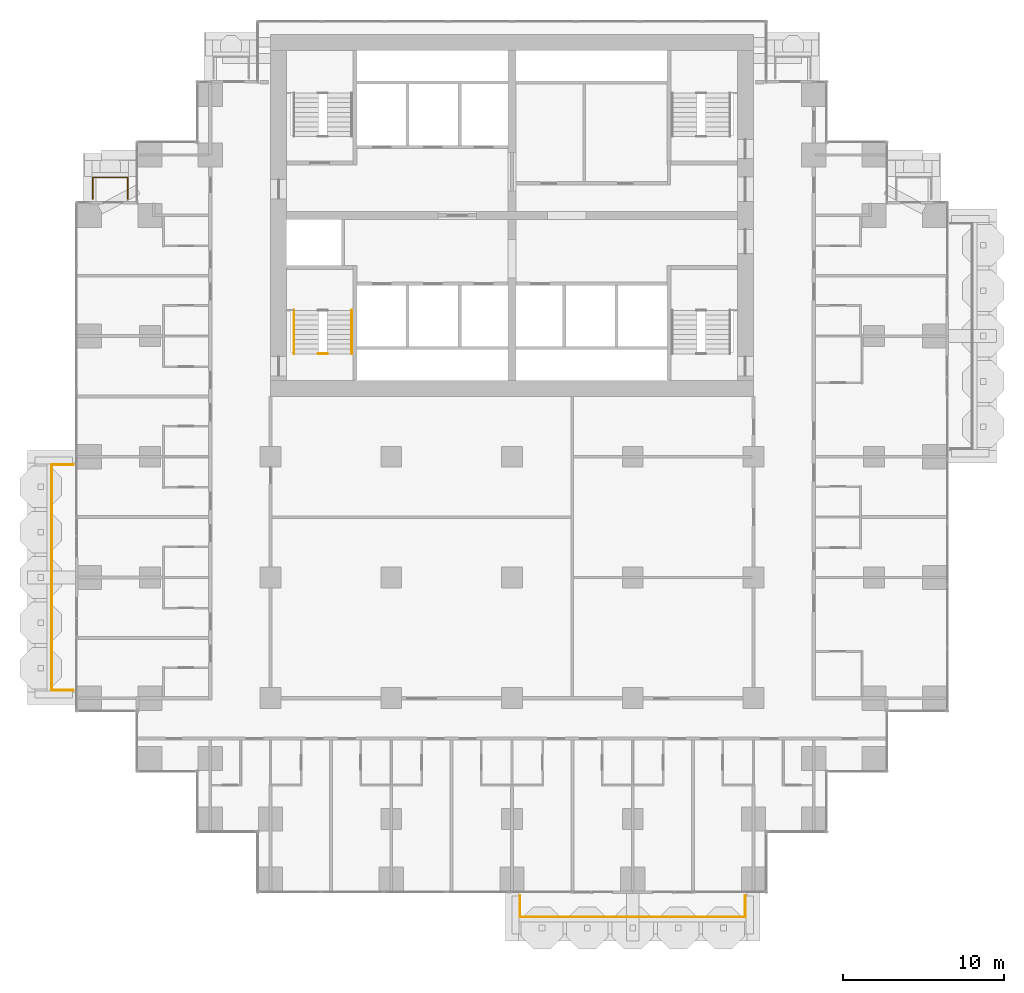
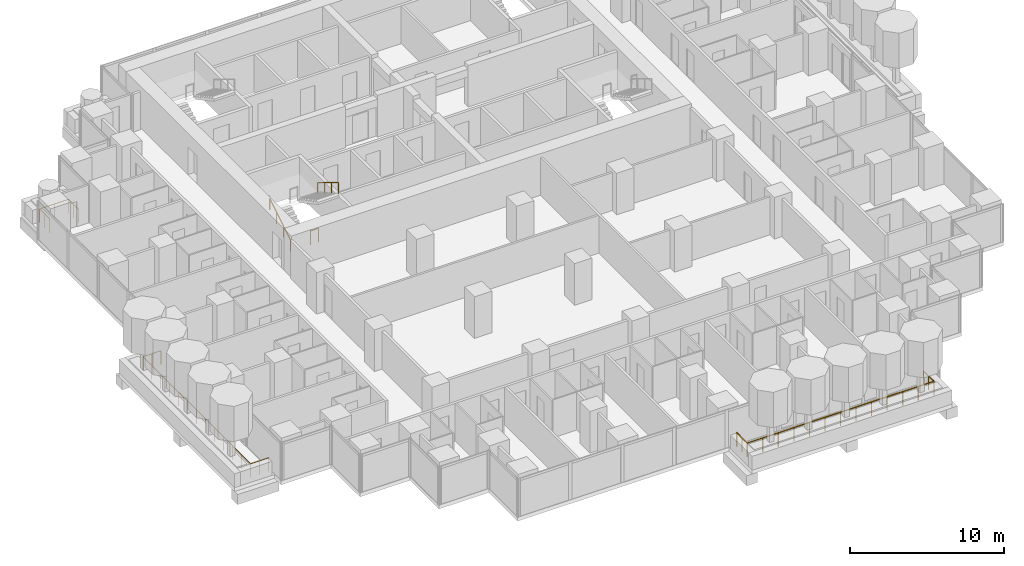
# One storey, part 18 of 20: 6 railings.
"""IFC4 building model written with IfcOpenShell, lengths in metres."""

from ifc_helpers import new_model, si_unit, direction, frame, origin, origin_2d, place, context, subcontext, project, spatial, circle, extrude, material, type_object, element, save


model = new_model("IFC4")

# Units and contexts
model_context = context("Model", 3, precision=1e-05, world=origin(), true_north=direction((0.0, 1.0)))
body_context = subcontext(model_context, "Body", "Model", "MODEL_VIEW")
ifc_project = project(units=[si_unit("LENGTHUNIT", "METRE"), si_unit("AREAUNIT", "SQUARE_METRE"), si_unit("VOLUMEUNIT", "CUBIC_METRE"), si_unit("PLANEANGLEUNIT", "RADIAN"), si_unit("MASSUNIT", "GRAM", prefix="KILO")], contexts=[model_context])

# Site, building, storey
site_placement = place(None, origin())
site = spatial("IfcSite", under=ifc_project, at=site_placement, CompositionType="ELEMENT")
building_placement = place(site_placement, origin())
building = spatial("IfcBuilding", under=site, at=building_placement, Name="Pilkhan Gate Tower", CompositionType="ELEMENT")
storey_placement = place(building_placement, frame((0.0, 0.0, 85.699951171875)))
storey = spatial("IfcBuildingStorey", under=building, at=storey_placement, Name="L20", CompositionType="ELEMENT", Elevation=85.699951171875)

# Railings
ifc_material_1 = material(Name="Pale anodised aluminium posts, laminated glass infill", Category="aluminium")
railing_type_1 = type_object("IfcRailingType", Name="Balcony guard G1", PredefinedType="BALUSTRADE", material=ifc_material_1)
railing_1_placement = place(storey_placement, frame((75.5, 40.25, 0.0)))
element("IfcRailing", 1, at=railing_1_placement, inside=storey, type_object=railing_type_1, Name="Balcony guard L20 S", PredefinedType="BALUSTRADE", context=body_context, shape_type="SweptSolid", body=[
    extrude(circle(Radius=0.02392578125, at=origin_2d()), frame((0.0, 0.0, 1.076171875), z_axis=(0.0, -1.0, 0.0), x_axis=(1.0, 0.0, 0.0)), (0.0, 0.0, 1.0), 1.35009765625),
    extrude(circle(Radius=0.02392578125, at=origin_2d()), frame((0.0, -1.35009765625, 1.076171875), z_axis=(1.0, 0.0, 0.0), x_axis=(0.0, 1.0, 0.0)), (0.0, 0.0, 1.0), 14.0),
    extrude(circle(Radius=0.02392578125, at=origin_2d()), frame((14.0, -1.35009765625, 1.076171875), z_axis=(0.0, 1.0, 0.0), x_axis=(-1.0, 0.0, 0.0)), (0.0, 0.0, 1.0), 1.35009765625),
    extrude(circle(Radius=0.02099609375, at=origin_2d()), origin(), (0.0, 0.0, 1.0), 1.052001953125),
    extrude(circle(Radius=0.02099609375, at=origin_2d()), frame((0.0, -0.675048828125, 0.0)), (0.0, 0.0, 1.0), 1.052001953125),
    extrude(circle(Radius=0.02099609375, at=origin_2d()), frame((0.0, -1.35009765625, 0.0)), (0.0, 0.0, 1.0), 1.052001953125),
    extrude(circle(Radius=0.02099609375, at=origin_2d()), frame((1.166748046875, -1.35009765625, 0.0)), (0.0, 0.0, 1.0), 1.052001953125),
    extrude(circle(Radius=0.02099609375, at=origin_2d()), frame((2.333251953125, -1.35009765625, 0.0)), (0.0, 0.0, 1.0), 1.052001953125),
    extrude(circle(Radius=0.02099609375, at=origin_2d()), frame((3.5, -1.35009765625, 0.0)), (0.0, 0.0, 1.0), 1.052001953125),
    extrude(circle(Radius=0.02099609375, at=origin_2d()), frame((4.666748046875, -1.35009765625, 0.0)), (0.0, 0.0, 1.0), 1.052001953125),
    extrude(circle(Radius=0.02099609375, at=origin_2d()), frame((5.833251953125, -1.35009765625, 0.0)), (0.0, 0.0, 1.0), 1.052001953125),
    extrude(circle(Radius=0.02099609375, at=origin_2d()), frame((7.0, -1.35009765625, 0.0)), (0.0, 0.0, 1.0), 1.052001953125),
    extrude(circle(Radius=0.02099609375, at=origin_2d()), frame((8.166748046875, -1.35009765625, 0.0)), (0.0, 0.0, 1.0), 1.052001953125),
    extrude(circle(Radius=0.02099609375, at=origin_2d()), frame((9.333251953125, -1.35009765625, 0.0)), (0.0, 0.0, 1.0), 1.052001953125),
    extrude(circle(Radius=0.02099609375, at=origin_2d()), frame((10.5, -1.35009765625, 0.0)), (0.0, 0.0, 1.0), 1.052001953125),
    extrude(circle(Radius=0.02099609375, at=origin_2d()), frame((11.666748046875, -1.35009765625, 0.0)), (0.0, 0.0, 1.0), 1.052001953125),
    extrude(circle(Radius=0.02099609375, at=origin_2d()), frame((12.833251953125, -1.35009765625, 0.0)), (0.0, 0.0, 1.0), 1.052001953125),
    extrude(circle(Radius=0.02099609375, at=origin_2d()), frame((14.0, -1.35009765625, 0.0)), (0.0, 0.0, 1.0), 1.052001953125),
    extrude(circle(Radius=0.02099609375, at=origin_2d()), frame((14.0, -0.675048828125, 0.0)), (0.0, 0.0, 1.0), 1.052001953125),
    extrude(circle(Radius=0.02099609375, at=origin_2d()), frame((14.0, 0.0, 0.0)), (0.0, 0.0, 1.0), 1.052001953125),
])
railing_2_placement = place(storey_placement, frame((48.949951171875, 83.52001953125, 0.0)))
element("IfcRailing", 2, at=railing_2_placement, inside=storey, type_object=railing_type_1, Name="Balcony guard L20 N", PredefinedType="BALUSTRADE", context=body_context, shape_type="SweptSolid", body=[
    extrude(circle(Radius=0.02392578125, at=origin_2d()), frame((0.0, 0.0, 1.076171875), z_axis=(0.0, 1.0, 0.0), x_axis=(-1.0, 0.0, 0.0)), (0.0, 0.0, 1.0), 1.330078125),
    extrude(circle(Radius=0.02392578125, at=origin_2d()), frame((0.0, 1.330078125, 1.076171875), z_axis=(1.0, 0.0, 0.0), x_axis=(0.0, 1.0, 0.0)), (0.0, 0.0, 1.0), 2.179931640625),
    extrude(circle(Radius=0.02392578125, at=origin_2d()), frame((2.179931640625, 1.330078125, 1.076171875), z_axis=(0.0, -1.0, 0.0), x_axis=(1.0, 0.0, 0.0)), (0.0, 0.0, 1.0), 1.330078125),
    extrude(circle(Radius=0.02099609375, at=origin_2d()), origin(), (0.0, 0.0, 1.0), 1.052001953125),
    extrude(circle(Radius=0.02099609375, at=origin_2d()), frame((0.0, 0.6650390625, 0.0)), (0.0, 0.0, 1.0), 1.052001953125),
    extrude(circle(Radius=0.02099609375, at=origin_2d()), frame((0.0, 1.330078125, 0.0)), (0.0, 0.0, 1.0), 1.052001953125),
    extrude(circle(Radius=0.02099609375, at=origin_2d()), frame((1.08984375, 1.330078125, 0.0)), (0.0, 0.0, 1.0), 1.052001953125),
    extrude(circle(Radius=0.02099609375, at=origin_2d()), frame((2.179931640625, 1.330078125, 0.0)), (0.0, 0.0, 1.0), 1.052001953125),
    extrude(circle(Radius=0.02099609375, at=origin_2d()), frame((2.179931640625, 0.6650390625, 0.0)), (0.0, 0.0, 1.0), 1.052001953125),
    extrude(circle(Radius=0.02099609375, at=origin_2d()), frame((2.179931640625, 0.0, 0.0)), (0.0, 0.0, 1.0), 1.052001953125),
])
railing_3_placement = place(storey_placement, frame((47.75, 53.0, 0.0)))
element("IfcRailing", 3, at=railing_3_placement, inside=storey, type_object=railing_type_1, Name="Balcony guard L20 W", PredefinedType="BALUSTRADE", context=body_context, shape_type="SweptSolid", body=[
    extrude(circle(Radius=0.02392578125, at=origin_2d()), frame((0.0, 0.0, 1.076171875), z_axis=(-1.0, 0.0, 0.0), x_axis=(0.0, -1.0, 0.0)), (0.0, 0.0, 1.0), 1.35009765625),
    extrude(circle(Radius=0.02392578125, at=origin_2d()), frame((-1.35009765625, 0.0, 1.076171875), z_axis=(0.0, 1.0, 0.0), x_axis=(-1.0, 0.0, 0.0)), (0.0, 0.0, 1.0), 14.0),
    extrude(circle(Radius=0.02392578125, at=origin_2d()), frame((-1.35009765625, 14.0, 1.076171875), z_axis=(1.0, 0.0, 0.0), x_axis=(0.0, 1.0, 0.0)), (0.0, 0.0, 1.0), 1.35009765625),
    extrude(circle(Radius=0.02099609375, at=origin_2d()), origin(), (0.0, 0.0, 1.0), 1.052001953125),
    extrude(circle(Radius=0.02099609375, at=origin_2d()), frame((-0.675048828125, 0.0, 0.0)), (0.0, 0.0, 1.0), 1.052001953125),
    extrude(circle(Radius=0.02099609375, at=origin_2d()), frame((-1.35009765625, 0.0, 0.0)), (0.0, 0.0, 1.0), 1.052001953125),
    extrude(circle(Radius=0.02099609375, at=origin_2d()), frame((-1.35009765625, 1.166748046875, 0.0)), (0.0, 0.0, 1.0), 1.052001953125),
    extrude(circle(Radius=0.02099609375, at=origin_2d()), frame((-1.35009765625, 2.333251953125, 0.0)), (0.0, 0.0, 1.0), 1.052001953125),
    extrude(circle(Radius=0.02099609375, at=origin_2d()), frame((-1.35009765625, 3.5, 0.0)), (0.0, 0.0, 1.0), 1.052001953125),
    extrude(circle(Radius=0.02099609375, at=origin_2d()), frame((-1.35009765625, 4.666748046875, 0.0)), (0.0, 0.0, 1.0), 1.052001953125),
    extrude(circle(Radius=0.02099609375, at=origin_2d()), frame((-1.35009765625, 5.833251953125, 0.0)), (0.0, 0.0, 1.0), 1.052001953125),
    extrude(circle(Radius=0.02099609375, at=origin_2d()), frame((-1.35009765625, 7.0, 0.0)), (0.0, 0.0, 1.0), 1.052001953125),
    extrude(circle(Radius=0.02099609375, at=origin_2d()), frame((-1.35009765625, 8.166748046875, 0.0)), (0.0, 0.0, 1.0), 1.052001953125),
    extrude(circle(Radius=0.02099609375, at=origin_2d()), frame((-1.35009765625, 9.333251953125, 0.0)), (0.0, 0.0, 1.0), 1.052001953125),
    extrude(circle(Radius=0.02099609375, at=origin_2d()), frame((-1.35009765625, 10.5, 0.0)), (0.0, 0.0, 1.0), 1.052001953125),
    extrude(circle(Radius=0.02099609375, at=origin_2d()), frame((-1.35009765625, 11.666748046875, 0.0)), (0.0, 0.0, 1.0), 1.052001953125),
    extrude(circle(Radius=0.02099609375, at=origin_2d()), frame((-1.35009765625, 12.833251953125, 0.0)), (0.0, 0.0, 1.0), 1.052001953125),
    extrude(circle(Radius=0.02099609375, at=origin_2d()), frame((-1.35009765625, 14.0, 0.0)), (0.0, 0.0, 1.0), 1.052001953125),
    extrude(circle(Radius=0.02099609375, at=origin_2d()), frame((-0.675048828125, 14.0, 0.0)), (0.0, 0.0, 1.0), 1.052001953125),
    extrude(circle(Radius=0.02099609375, at=origin_2d()), frame((0.0, 14.0, 0.0)), (0.0, 0.0, 1.0), 1.052001953125),
])
ifc_material_2 = material(Name="Black powder-coated steel tube", Category="steel")
railing_type_2 = type_object("IfcRailingType", Name="Stair handrail HR1", PredefinedType="HANDRAIL", material=ifc_material_2)
railing_4_placement = place(storey_placement, frame((61.449951171875, 73.89990234375, 0.0)))
element("IfcRailing", 4, at=railing_4_placement, inside=storey, type_object=railing_type_2, Name="Stair ST2 handrail L20", PredefinedType="HANDRAIL", context=body_context, shape_type="SweptSolid", body=[
    extrude(circle(Radius=0.02392578125, at=origin_2d()), frame((0.0, 0.0, 0.8759765625), z_axis=(0.0, 0.853278019476, 0.521456250781), x_axis=(-1.0, 0.0, 0.0)), (0.0, 0.0, 1.0), 3.16455078125),
    extrude(circle(Radius=0.02099609375, at=origin_2d()), origin(), (0.0, 0.0, 1.0), 0.851806640625),
    extrude(circle(Radius=0.02099609375, at=origin_2d()), frame((0.0, 0.900146484375, 0.550048828125)), (0.0, 0.0, 1.0), 0.851806640625),
    extrude(circle(Radius=0.02099609375, at=origin_2d()), frame((0.0, 1.800048828125, 1.10009765625)), (0.0, 0.0, 1.0), 0.851806640625),
    extrude(circle(Radius=0.02099609375, at=origin_2d()), frame((0.0, 2.7001953125, 1.650146484375)), (0.0, 0.0, 1.0), 0.851806640625),
])
railing_5_placement = place(storey_placement, frame((65.050048828125, 76.60009765625, 1.650146484375)))
element("IfcRailing", 5, at=railing_5_placement, inside=storey, type_object=railing_type_2, Name="Stair ST2 handrail L20", PredefinedType="HANDRAIL", context=body_context, shape_type="SweptSolid", body=[
    extrude(circle(Radius=0.02392578125, at=origin_2d()), frame((0.0, 0.0, 0.8759765625), z_axis=(0.0, -0.853312346642, 0.521400075823), x_axis=(1.0, 0.0, 0.0)), (0.0, 0.0, 1.0), 3.164306640625),
    extrude(circle(Radius=0.02099609375, at=origin_2d()), origin(), (0.0, 0.0, 1.0), 0.851806640625),
    extrude(circle(Radius=0.02099609375, at=origin_2d()), frame((0.0, -0.900146484375, 0.550048828125)), (0.0, 0.0, 1.0), 0.851806640625),
    extrude(circle(Radius=0.02099609375, at=origin_2d()), frame((0.0, -1.800048828125, 1.099853515625)), (0.0, 0.0, 1.0), 0.851806640625),
    extrude(circle(Radius=0.02099609375, at=origin_2d()), frame((0.0, -2.7001953125, 1.64990234375)), (0.0, 0.0, 1.0), 0.851806640625),
])
ifc_material_3 = material(Name="Black powder-coated steel balusters", Category="steel")
railing_type_3 = type_object("IfcRailingType", Name="Stair well guard G3", PredefinedType="GUARDRAIL", material=ifc_material_3)
railing_6_placement = place(storey_placement, frame((62.9599609375, 73.89990234375, 0.0)))
element("IfcRailing", 6, at=railing_6_placement, inside=storey, type_object=railing_type_3, Name="Stair ST2 well guard L20", PredefinedType="GUARDRAIL", context=body_context, shape_type="SweptSolid", body=[
    extrude(circle(Radius=0.02392578125, at=origin_2d()), frame((0.0, 0.0, 1.076171875), z_axis=(1.0, 0.0, 0.0), x_axis=(0.0, 1.0, 0.0)), (0.0, 0.0, 1.0), 0.580078125),
    extrude(circle(Radius=0.02099609375, at=origin_2d()), origin(), (0.0, 0.0, 1.0), 1.052001953125),
    extrude(circle(Radius=0.02099609375, at=origin_2d()), frame((0.580078125, 0.0, 0.0)), (0.0, 0.0, 1.0), 1.052001953125),
])

save(model, "model.ifc")
